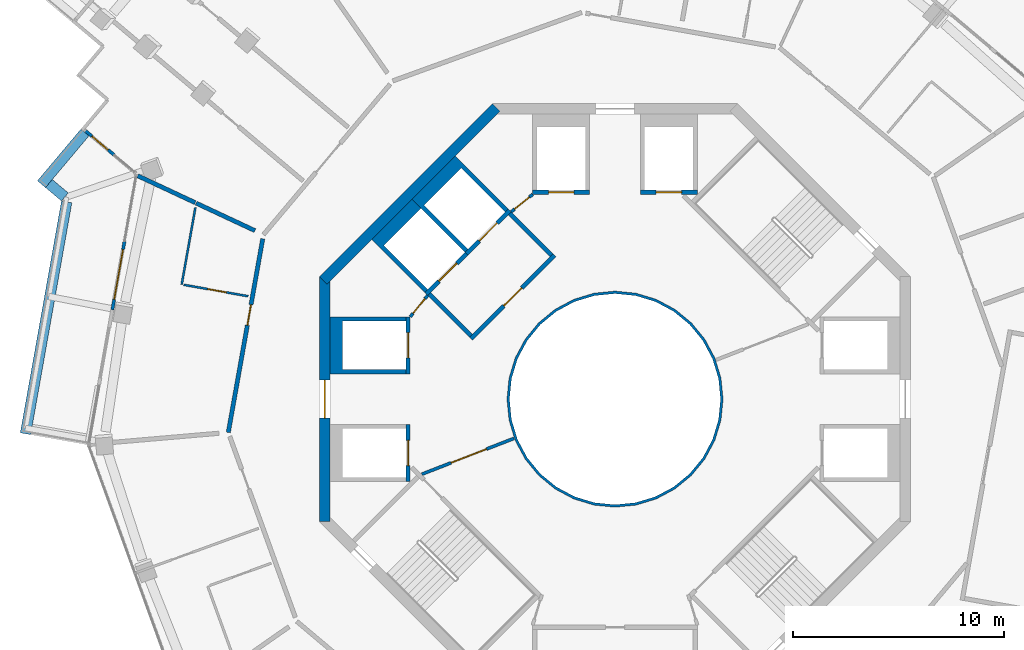
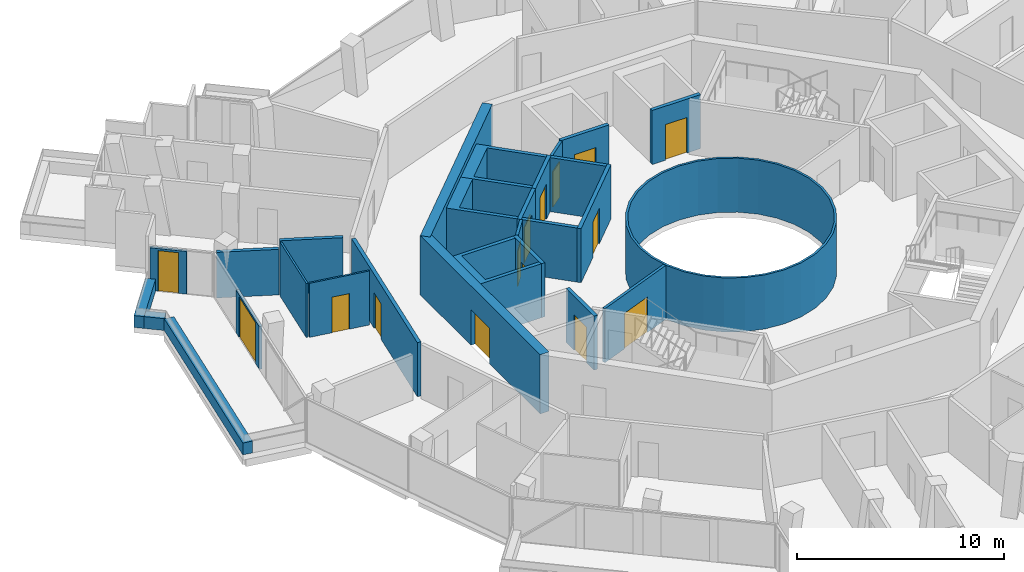
# One storey, part 16 of 22: 28 walls, 15 doors, 15 openings.
"""IFC4 building model written with IfcOpenShell, lengths in metres."""

from ifc_helpers import new_model, si_unit, direction, frame, frame_2d, origin, place, context, subcontext, project, spatial, polyline, rectangle, outline, extrude, material, layer, layer_set, type_object, element, fill, save


model = new_model("IFC4")

# Units and contexts
model_context = context("Model", 3, precision=1e-05, world=origin(), true_north=direction((0.0, 1.0)))
body_context = subcontext(model_context, "Body", "Model", "MODEL_VIEW")
ifc_project = project(units=[si_unit("LENGTHUNIT", "METRE"), si_unit("AREAUNIT", "SQUARE_METRE"), si_unit("VOLUMEUNIT", "CUBIC_METRE"), si_unit("PLANEANGLEUNIT", "RADIAN"), si_unit("MASSUNIT", "GRAM", prefix="KILO")], contexts=[model_context])

# Site, building, storey
site_placement = place(None, origin())
site = spatial("IfcSite", under=ifc_project, at=site_placement, CompositionType="ELEMENT")
building_placement = place(site_placement, origin())
building = spatial("IfcBuilding", under=site, at=building_placement, Name="Verdalira Terraces Hotel", CompositionType="ELEMENT")
storey_placement = place(building_placement, frame((0.0, 0.0, 237.5)))
storey = spatial("IfcBuildingStorey", under=building, at=storey_placement, Name="L58", CompositionType="ELEMENT", Elevation=237.5)

# Walls
ifc_material_1 = material(Name="Fire-resisting glass EI 180", Category="glass")
ifc_layer_1 = layer(ifc_material_1, 0.1201171875)
ifc_layer_set_1 = layer_set([ifc_layer_1], Name="Atrium fire screen 120 mm")
wall_type_1 = type_object("IfcWallType", Name="Atrium fire screen 120 mm", PredefinedType="SOLIDWALL", material=ifc_layer_set_1)
wall_1_placement = place(storey_placement, origin())
element("IfcWall", 1, at=wall_1_placement, inside=storey, type_object=wall_type_1, Name="Atrium fire screen", PredefinedType="SOLIDWALL", context=body_context, shape_type="SweptSolid", body=[
    extrude(outline(polyline([(5.021484, -0.998779), (4.730225, -1.959229), (4.25708, -2.844482), (3.620361, -3.620361), (2.844482, -4.25708), (1.959229, -4.730225), (0.998779, -5.021484), (0.0, -5.120117), (-0.998779, -5.021484), (-1.959229, -4.730225), (-2.844482, -4.25708), (-3.620361, -3.620361), (-4.25708, -2.844482), (-4.730225, -1.959229), (-5.021484, -0.998779), (-5.120117, 0.0), (-5.021484, 0.998779), (-4.730225, 1.959229), (-4.25708, 2.844482), (-3.620361, 3.620361), (-2.844482, 4.25708), (-1.959229, 4.730225), (-0.998779, 5.021484), (0.0, 5.120117), (0.998779, 5.021484), (1.959229, 4.730225), (2.844482, 4.25708), (3.620361, 3.620361), (4.25708, 2.844482), (4.730225, 1.959229), (5.021484, 0.998779), (5.120117, 0.0), (5.021484, -0.998779)]), holes=[polyline([(4.903809, 0.975586), (4.619385, 1.91333), (4.157227, 2.777832), (3.5354, 3.5354), (2.777832, 4.157227), (1.91333, 4.619385), (0.975586, 4.903809), (0.0, 5.0), (-0.975586, 4.903809), (-1.91333, 4.619385), (-2.777832, 4.157227), (-3.5354, 3.5354), (-4.157227, 2.777832), (-4.619385, 1.91333), (-4.903809, 0.975586), (-5.0, 0.0), (-4.903809, -0.975586), (-4.619385, -1.91333), (-4.157227, -2.777832), (-3.5354, -3.5354), (-2.777832, -4.157227), (-1.91333, -4.619385), (-0.975586, -4.903809), (0.0, -5.0), (0.975586, -4.903809), (1.91333, -4.619385), (2.777832, -4.157227), (3.5354, -3.5354), (4.157227, -2.777832), (4.619385, -1.91333), (4.903809, -0.975586), (5.0, 0.0), (4.903809, 0.975586)])]), origin(), (0.0, 0.0, 1.0), 3.189941),
])
ifc_material_2 = material(Name="Concrete C40", Category="concrete")
ifc_layer_2 = layer(ifc_material_2, 0.5)
ifc_layer_set_2 = layer_set([ifc_layer_2], Name="Balcony planter trough with tree")
wall_type_2 = type_object("IfcWallType", Name="Balcony planter trough with tree", PredefinedType="SOLIDWALL", material=ifc_layer_set_2)
wall_2_placement = place(storey_placement, frame((-25.108398, 12.631836, 0.0), z_axis=(0.0, 0.0, 1.0), x_axis=(-0.64382547, -0.765172376, 0.0)))
element("IfcWall", 2, at=wall_2_placement, inside=storey, type_object=wall_type_2, Name="Balcony planter", PredefinedType="SOLIDWALL", context=body_context, shape_type="SweptSolid", body=[
    extrude(rectangle(XDim=3.198975, YDim=0.5, at=frame_2d((1.599609, 0.0))), origin(), (0.0, 0.0, 1.0), 0.699951),
])
wall_3_placement = place(storey_placement, frame((-26.815674, 10.214355, 0.0), z_axis=(0.0, 0.0, 1.0), x_axis=(0.765135313, -0.643869516, 0.0)))
element("IfcWall", 3, at=wall_3_placement, inside=storey, type_object=wall_type_2, Name="Balcony planter", PredefinedType="SOLIDWALL", context=body_context, shape_type="SweptSolid", body=[
    extrude(rectangle(XDim=0.988525, YDim=0.5, at=frame_2d((0.494141, 0.0))), origin(), (0.0, 0.0, 1.0), 0.699951),
])
wall_4_placement = place(storey_placement, frame((-25.974121, 9.342773, 0.0), z_axis=(0.0, 0.0, 1.0), x_axis=(-0.175017773, -0.984565274, 0.0)))
element("IfcWall", 4, at=wall_4_placement, inside=storey, type_object=wall_type_2, Name="Balcony planter", PredefinedType="SOLIDWALL", context=body_context, shape_type="SweptSolid", body=[
    extrude(rectangle(XDim=11.152588, YDim=0.5, at=frame_2d((5.576172, 0.0))), origin(), (0.0, 0.0, 1.0), 0.699951),
])
ifc_material_3 = material(Name="Moisture-resistant gypsum board partition")
ifc_layer_3 = layer(ifc_material_3, 0.10009765625)
ifc_layer_set_3 = layer_set([ifc_layer_3], Name="Bathroom partition 100 mm")
wall_type_3 = type_object("IfcWallType", Name="Bathroom partition 100 mm", PredefinedType="PARTITIONING", material=ifc_layer_set_3)
wall_5_placement = place(storey_placement, frame((-20.523926, 5.434326, 0.0), z_axis=(0.0, 0.0, 1.0), x_axis=(0.17499216, 0.984569827, 0.0)))
element("IfcWall", 5, at=wall_5_placement, inside=storey, type_object=wall_type_3, Name="Bathroom partition", PredefinedType="PARTITIONING", context=body_context, shape_type="SweptSolid", body=[
    extrude(rectangle(XDim=3.704102, YDim=0.100098, at=frame_2d((1.852051, 0.0))), origin(), (0.0, 0.0, 1.0), 3.189941),
])

# Wall, opening, door
wall_6_placement = place(storey_placement, frame((-20.425537, 5.416992, 0.0), z_axis=(0.0, 0.0, 1.0), x_axis=(0.984556777, -0.175065567, 0.0)))
wall_6 = element("IfcWall", 6, at=wall_6_placement, inside=storey, type_object=wall_type_3, Name="Bathroom partition", PredefinedType="PARTITIONING", context=body_context, shape_type="SweptSolid", body=[
    extrude(rectangle(XDim=3.100098, YDim=0.100098, at=frame_2d((1.550049, 0.0))), origin(), (0.0, 0.0, 1.0), 3.189941),
])
opening_1_placement = place(wall_6_placement, frame((1.149902, 0.0, 0.0)))
opening_1 = element("IfcOpeningElement", 7, at=opening_1_placement, cuts=wall_6, Name="Opening L58-105", PredefinedType="OPENING", context=body_context, shape_type="SweptSolid", body=[
    extrude(rectangle(XDim=0.899902, YDim=2.100098, at=frame_2d((0.449951, 1.050049))), frame((0.0, 0.060059, 0.0), z_axis=(0.0, -1.0, 0.0), x_axis=(1.0, 0.0, 0.0)), (0.0, 0.0, 1.0), 0.120117),
])
ifc_material_4 = material(Name="Timber door", Category="wood")
door_type_1 = type_object("IfcDoorType", Name="Bathroom door 900 x 2100", OperationType="NOTDEFINED", PredefinedType="DOOR", material=ifc_material_4)
door_1_placement = place(opening_1_placement, origin())
door_1 = element("IfcDoor", 8, at=door_1_placement, inside=storey, type_object=door_type_1, Name="Bathroom door 5802", OperationType="SINGLE_SWING_LEFT", OverallHeight=2.10009765625, OverallWidth=0.89990234375, PredefinedType="DOOR", context=body_context, shape_type="SweptSolid", body=[
    extrude(rectangle(XDim=0.899902, YDim=2.100098, at=frame_2d((0.449951, 1.050049))), frame((0.0, 0.024902, 0.0), z_axis=(0.0, -1.0, 0.0), x_axis=(1.0, 0.0, 0.0)), (0.0, 0.0, 1.0), 0.050049),
])
fill(opening_1, door_1)

ifc_material_5 = material(Name="Concrete C50", Category="concrete")
ifc_layer_4 = layer(ifc_material_5, 0.199951171875)
ifc_layer_set_4 = layer_set([ifc_layer_4], Name="Core RC wall 200 C50")
wall_type_4 = type_object("IfcWallType", Name="Core RC wall 200 C50", PredefinedType="SOLIDWALL", material=ifc_layer_set_4)
wall_7_placement = place(storey_placement, frame((1.199951, 9.800049, 0.0), z_axis=(0.0, 0.0, 1.0), x_axis=(1.0, 0.0, 0.0)))
wall_7 = element("IfcWall", 9, at=wall_7_placement, inside=storey, type_object=wall_type_4, Name="L58 shaft front wall N1", PredefinedType="SOLIDWALL", context=body_context, shape_type="SweptSolid", body=[
    extrude(rectangle(XDim=2.699951, YDim=0.199951, at=frame_2d((1.350098, 0.0))), origin(), (0.0, 0.0, 1.0), 3.189941),
])
opening_2_placement = place(wall_7_placement, frame((0.75, 0.0, 0.0)))
opening_2 = element("IfcOpeningElement", 10, at=opening_2_placement, cuts=wall_7, Name="Opening LD-L58-804", PredefinedType="OPENING", context=body_context, shape_type="SweptSolid", body=[
    extrude(rectangle(XDim=1.199951, YDim=2.100098, at=frame_2d((0.600098, 1.050049))), frame((0.0, 0.109863, 0.0), z_axis=(0.0, -1.0, 0.0), x_axis=(1.0, 0.0, 0.0)), (0.0, 0.0, 1.0), 0.219971),
])
ifc_material_6 = material(Name="Stainless steel", Category="steel")
door_type_2 = type_object("IfcDoorType", Name="Landing door 1200 x 2100", OperationType="NOTDEFINED", PredefinedType="DOOR", material=ifc_material_6)
door_2_placement = place(opening_2_placement, origin())
door_2 = element("IfcDoor", 11, at=door_2_placement, inside=storey, type_object=door_type_2, Name="Lift landing door HR3 L58", OperationType="DOUBLE_DOOR_SLIDING", OverallHeight=2.10009765625, OverallWidth=1.199951171875, PredefinedType="DOOR", context=body_context, shape_type="SweptSolid", body=[
    extrude(rectangle(XDim=1.199951, YDim=2.100098, at=frame_2d((0.600098, 1.050049))), frame((0.0, 0.024902, 0.0), z_axis=(0.0, -1.0, 0.0), x_axis=(1.0, 0.0, 0.0)), (0.0, 0.0, 1.0), 0.050049),
])
fill(opening_2, door_2)

wall_8_placement = place(storey_placement, frame((-1.199951, 9.800049, 0.0), z_axis=(0.0, 0.0, 1.0), x_axis=(-1.0, 0.0, 0.0)))
wall_8 = element("IfcWall", 12, at=wall_8_placement, inside=storey, type_object=wall_type_4, Name="L58 shaft front wall N2", PredefinedType="SOLIDWALL", context=body_context, shape_type="SweptSolid", body=[
    extrude(rectangle(XDim=2.699951, YDim=0.199951, at=frame_2d((1.350098, 0.0))), origin(), (0.0, 0.0, 1.0), 3.189941),
])
opening_3_placement = place(wall_8_placement, frame((0.75, 0.0, 0.0)))
opening_3 = element("IfcOpeningElement", 13, at=opening_3_placement, cuts=wall_8, Name="Opening LD-L58-805", PredefinedType="OPENING", context=body_context, shape_type="SweptSolid", body=[
    extrude(rectangle(XDim=1.199951, YDim=2.100098, at=frame_2d((0.600098, 1.050049))), frame((0.0, 0.109863, 0.0), z_axis=(0.0, -1.0, 0.0), x_axis=(1.0, 0.0, 0.0)), (0.0, 0.0, 1.0), 0.219971),
])
door_3_placement = place(opening_3_placement, origin())
door_3 = element("IfcDoor", 14, at=door_3_placement, inside=storey, type_object=door_type_2, Name="Lift landing door HR4 L58", OperationType="DOUBLE_DOOR_SLIDING", OverallHeight=2.10009765625, OverallWidth=1.199951171875, PredefinedType="DOOR", context=body_context, shape_type="SweptSolid", body=[
    extrude(rectangle(XDim=1.199951, YDim=2.100098, at=frame_2d((0.600098, 1.050049))), frame((0.0, 0.024902, 0.0), z_axis=(0.0, -1.0, 0.0), x_axis=(1.0, 0.0, 0.0)), (0.0, 0.0, 1.0), 0.050049),
])
fill(opening_3, door_3)

# Wall
wall_9_placement = place(storey_placement, origin())
element("IfcWall", 15, at=wall_9_placement, inside=storey, type_object=wall_type_4, Name="L58 shaft wall W1", PredefinedType="SOLIDWALL", context=body_context, shape_type="SweptSolid", body=[
    extrude(outline(polyline([(-13.5, 3.899902), (-9.899902, 3.899902), (-9.899902, 3.699951), (-12.899902, 3.699951), (-12.899902, 1.399902), (-9.899902, 1.399902), (-9.899902, 1.199951), (-13.5, 1.199951), (-13.5, 3.899902)])), origin(), (0.0, 0.0, 1.0), 3.189941),
])

# Wall, opening, door
wall_10_placement = place(storey_placement, frame((-9.800049, 1.199951, 0.0), z_axis=(0.0, 0.0, 1.0), x_axis=(0.0, 1.0, 0.0)))
wall_10 = element("IfcWall", 16, at=wall_10_placement, inside=storey, type_object=wall_type_4, Name="L58 shaft front wall W1", PredefinedType="SOLIDWALL", context=body_context, shape_type="SweptSolid", body=[
    extrude(rectangle(XDim=2.699951, YDim=0.199951, at=frame_2d((1.350098, 0.0))), origin(), (0.0, 0.0, 1.0), 3.189941),
])
opening_4_placement = place(wall_10_placement, frame((0.75, 0.0, 0.0)))
opening_4 = element("IfcOpeningElement", 17, at=opening_4_placement, cuts=wall_10, Name="Opening LD-L58-806", PredefinedType="OPENING", context=body_context, shape_type="SweptSolid", body=[
    extrude(rectangle(XDim=1.199951, YDim=2.100098, at=frame_2d((0.600098, 1.050049))), frame((0.0, 0.109863, 0.0), z_axis=(0.0, -1.0, 0.0), x_axis=(1.0, 0.0, 0.0)), (0.0, 0.0, 1.0), 0.219971),
])
door_4_placement = place(opening_4_placement, origin())
door_4 = element("IfcDoor", 18, at=door_4_placement, inside=storey, type_object=door_type_2, Name="Lift landing door HR5 L58", OperationType="DOUBLE_DOOR_SLIDING", OverallHeight=2.10009765625, OverallWidth=1.199951171875, PredefinedType="DOOR", context=body_context, shape_type="SweptSolid", body=[
    extrude(rectangle(XDim=1.199951, YDim=2.100098, at=frame_2d((0.600098, 1.050049))), frame((0.0, 0.024902, 0.0), z_axis=(0.0, -1.0, 0.0), x_axis=(1.0, 0.0, 0.0)), (0.0, 0.0, 1.0), 0.050049),
])
fill(opening_4, door_4)

wall_11_placement = place(storey_placement, frame((-9.800049, -1.199951, 0.0), z_axis=(0.0, 0.0, 1.0), x_axis=(0.0, -1.0, 0.0)))
wall_11 = element("IfcWall", 19, at=wall_11_placement, inside=storey, type_object=wall_type_4, Name="L58 shaft front wall W2", PredefinedType="SOLIDWALL", context=body_context, shape_type="SweptSolid", body=[
    extrude(rectangle(XDim=2.699951, YDim=0.199951, at=frame_2d((1.350098, 0.0))), origin(), (0.0, 0.0, 1.0), 3.189941),
])
opening_5_placement = place(wall_11_placement, frame((0.75, 0.0, 0.0)))
opening_5 = element("IfcOpeningElement", 20, at=opening_5_placement, cuts=wall_11, Name="Opening LD-L58-807", PredefinedType="OPENING", context=body_context, shape_type="SweptSolid", body=[
    extrude(rectangle(XDim=1.199951, YDim=2.100098, at=frame_2d((0.600098, 1.050049))), frame((0.0, 0.109863, 0.0), z_axis=(0.0, -1.0, 0.0), x_axis=(1.0, 0.0, 0.0)), (0.0, 0.0, 1.0), 0.219971),
])
door_5_placement = place(opening_5_placement, origin())
door_5 = element("IfcDoor", 21, at=door_5_placement, inside=storey, type_object=door_type_2, Name="Lift landing door HR6 L58", OperationType="DOUBLE_DOOR_SLIDING", OverallHeight=2.10009765625, OverallWidth=1.199951171875, PredefinedType="DOOR", context=body_context, shape_type="SweptSolid", body=[
    extrude(rectangle(XDim=1.199951, YDim=2.100098, at=frame_2d((0.600098, 1.050049))), frame((0.0, 0.024902, 0.0), z_axis=(0.0, -1.0, 0.0), x_axis=(1.0, 0.0, 0.0)), (0.0, 0.0, 1.0), 0.050049),
])
fill(opening_5, door_5)

# Wall
wall_12_placement = place(storey_placement, origin())
element("IfcWall", 22, at=wall_12_placement, inside=storey, type_object=wall_type_4, Name="L58 shaft wall F1", PredefinedType="SOLIDWALL", context=body_context, shape_type="SweptSolid", body=[
    extrude(outline(polyline([(-9.616699, 9.475098), (-7.565918, 11.525879), (-5.055908, 9.015625), (-5.197266, 8.874268), (-7.283203, 10.960205), (-9.051025, 9.192383), (-6.965088, 7.106445), (-7.106445, 6.965088), (-9.616699, 9.475098)])), origin(), (0.0, 0.0, 1.0), 3.189941),
])

# Wall, opening, door
wall_13_placement = place(storey_placement, frame((-4.985107, 8.944824, 0.0), z_axis=(0.0, 0.0, 1.0), x_axis=(-0.707106781, -0.707106781, 0.0)))
wall_13 = element("IfcWall", 23, at=wall_13_placement, inside=storey, type_object=wall_type_4, Name="L58 shaft front wall F1", PredefinedType="SOLIDWALL", context=body_context, shape_type="SweptSolid", body=[
    extrude(rectangle(XDim=2.899902, YDim=0.199951, at=frame_2d((1.449951, 0.0))), origin(), (0.0, 0.0, 1.0), 3.189941),
])
opening_6_placement = place(wall_13_placement, frame((0.850098, 0.0, 0.0)))
opening_6 = element("IfcOpeningElement", 24, at=opening_6_placement, cuts=wall_13, Name="Opening LD-L58-808", PredefinedType="OPENING", context=body_context, shape_type="SweptSolid", body=[
    extrude(rectangle(XDim=1.199951, YDim=2.100098, at=frame_2d((0.600098, 1.050049))), frame((0.0, 0.109863, 0.0), z_axis=(0.0, -1.0, 0.0), x_axis=(1.0, 0.0, 0.0)), (0.0, 0.0, 1.0), 0.219971),
])
door_6_placement = place(opening_6_placement, origin())
door_6 = element("IfcDoor", 25, at=door_6_placement, inside=storey, type_object=door_type_2, Name="Lift landing door LF11 L58", OperationType="DOUBLE_DOOR_SLIDING", OverallHeight=2.10009765625, OverallWidth=1.199951171875, PredefinedType="DOOR", context=body_context, shape_type="SweptSolid", body=[
    extrude(rectangle(XDim=1.199951, YDim=2.100098, at=frame_2d((0.600098, 1.050049))), frame((0.0, 0.024902, 0.0), z_axis=(0.0, -1.0, 0.0), x_axis=(1.0, 0.0, 0.0)), (0.0, 0.0, 1.0), 0.050049),
])
fill(opening_6, door_6)

# Wall
wall_14_placement = place(storey_placement, origin())
element("IfcWall", 26, at=wall_14_placement, inside=storey, type_object=wall_type_4, Name="L58 shaft wall F2", PredefinedType="SOLIDWALL", context=body_context, shape_type="SweptSolid", body=[
    extrude(outline(polyline([(-11.525879, 7.565918), (-9.616699, 9.475098), (-9.192383, 9.051025), (-10.960205, 7.283203), (-8.874268, 5.197266), (-9.015625, 5.055908), (-11.525879, 7.565918)])), origin(), (0.0, 0.0, 1.0), 3.189941),
])

# Wall, opening, door
wall_15_placement = place(storey_placement, frame((-7.035645, 6.894287, 0.0), z_axis=(0.0, 0.0, 1.0), x_axis=(-0.707106781, -0.707106781, 0.0)))
wall_15 = element("IfcWall", 27, at=wall_15_placement, inside=storey, type_object=wall_type_4, Name="L58 shaft front wall F2", PredefinedType="SOLIDWALL", context=body_context, shape_type="SweptSolid", body=[
    extrude(rectangle(XDim=2.699951, YDim=0.199951, at=frame_2d((1.350098, 0.0))), origin(), (0.0, 0.0, 1.0), 3.189941),
])
opening_7_placement = place(wall_15_placement, frame((0.649902, 0.0, 0.0)))
opening_7 = element("IfcOpeningElement", 28, at=opening_7_placement, cuts=wall_15, Name="Opening LD-L58-809", PredefinedType="OPENING", context=body_context, shape_type="SweptSolid", body=[
    extrude(rectangle(XDim=1.199951, YDim=2.100098, at=frame_2d((0.600098, 1.050049))), frame((0.0, 0.109863, 0.0), z_axis=(0.0, -1.0, 0.0), x_axis=(1.0, 0.0, 0.0)), (0.0, 0.0, 1.0), 0.219971),
])
door_7_placement = place(opening_7_placement, origin())
door_7 = element("IfcDoor", 29, at=door_7_placement, inside=storey, type_object=door_type_2, Name="Lift landing door LF12 L58", OperationType="DOUBLE_DOOR_SLIDING", OverallHeight=2.10009765625, OverallWidth=1.199951171875, PredefinedType="DOOR", context=body_context, shape_type="SweptSolid", body=[
    extrude(rectangle(XDim=1.199951, YDim=2.100098, at=frame_2d((0.600098, 1.050049))), frame((0.0, 0.024902, 0.0), z_axis=(0.0, -1.0, 0.0), x_axis=(1.0, 0.0, 0.0)), (0.0, 0.0, 1.0), 0.050049),
])
fill(opening_7, door_7)

wall_16_placement = place(storey_placement, frame((-2.86377, 6.823486, 0.0), z_axis=(0.0, 0.0, 1.0), x_axis=(-0.707106781, -0.707106781, 0.0)))
wall_16 = element("IfcWall", 30, at=wall_16_placement, inside=storey, type_object=wall_type_4, Name="L58 fire lobby wall", PredefinedType="SOLIDWALL", context=body_context, shape_type="SweptSolid", body=[
    extrude(rectangle(XDim=5.599854, YDim=0.199951, at=frame_2d((2.799805, 0.0))), origin(), (0.0, 0.0, 1.0), 3.189941),
])
opening_8_placement = place(wall_16_placement, frame((2.199951, 0.0, 0.0)))
opening_8 = element("IfcOpeningElement", 31, at=opening_8_placement, cuts=wall_16, Name="Opening L58-819", PredefinedType="OPENING", context=body_context, shape_type="SweptSolid", body=[
    extrude(rectangle(XDim=1.199951, YDim=2.100098, at=frame_2d((0.600098, 1.050049))), frame((0.0, 0.109863, 0.0), z_axis=(0.0, -1.0, 0.0), x_axis=(1.0, 0.0, 0.0)), (0.0, 0.0, 1.0), 0.219971),
])
ifc_material_7 = material(Name="Steel fire door", Category="steel")
door_type_3 = type_object("IfcDoorType", Name="Lobby door 1200 x 2100", OperationType="NOTDEFINED", PredefinedType="DOOR", material=ifc_material_7)
door_8_placement = place(opening_8_placement, origin())
door_8 = element("IfcDoor", 32, at=door_8_placement, inside=storey, type_object=door_type_3, Name="Fire lobby door L58", OperationType="SINGLE_SWING_LEFT", OverallHeight=2.10009765625, OverallWidth=1.199951171875, PredefinedType="DOOR", context=body_context, shape_type="SweptSolid", body=[
    extrude(rectangle(XDim=1.199951, YDim=2.100098, at=frame_2d((0.600098, 1.050049))), frame((0.0, 0.024902, 0.0), z_axis=(0.0, -1.0, 0.0), x_axis=(1.0, 0.0, 0.0)), (0.0, 0.0, 1.0), 0.050049),
])
fill(opening_8, door_8)

# Walls
for number, where, z_axis, x_axis, name in (
    (33, (-3.005127, 6.823486, 0.0), (0.0, 0.0, 1.0), (-0.707106781, 0.707106781, 0.0), "L58 fire lobby wall"),
    (34, (-6.823486, 3.005127, 0.0), (0.0, 0.0, 1.0), (-0.707106781, 0.707106781, 0.0), "L58 fire lobby wall"),
):
    element("IfcWall", number, at=place(storey_placement, frame(where, z_axis=z_axis, x_axis=x_axis)), inside=storey, type_object=wall_type_4, Name=name, PredefinedType="SOLIDWALL", context=body_context, shape_type="SweptSolid", body=[
        extrude(rectangle(XDim=2.800049, YDim=0.199951, at=frame_2d((1.399902, 0.0))), origin(), (0.0, 0.0, 1.0), 3.189941),
    ])

# Wall, opening, door
ifc_material_8 = material(Name="Gypsum board partition")
ifc_layer_5 = layer(ifc_material_8, 0.14990234375)
ifc_layer_set_5 = layer_set([ifc_layer_5], Name="Core partition 150 mm")
wall_type_5 = type_object("IfcWallType", Name="Core partition 150 mm", PredefinedType="PARTITIONING", material=ifc_layer_set_5)
wall_17_placement = place(storey_placement, frame((-3.899902, 9.699951, 0.0), z_axis=(0.0, 0.0, 1.0), x_axis=(-0.775559878, -0.631274009, 0.0)))
wall_17 = element("IfcWall", 35, at=wall_17_placement, inside=storey, type_object=wall_type_5, Name="Room partition L58", PredefinedType="PARTITIONING", context=body_context, shape_type="SweptSolid", body=[
    extrude(rectangle(XDim=1.307861, YDim=0.149902, at=frame_2d((0.653809, 0.0))), origin(), (0.0, 0.0, 1.0), 3.189941),
])
opening_9_placement = place(wall_17_placement, frame((0.204102, 0.0, 0.0)))
opening_9 = element("IfcOpeningElement", 36, at=opening_9_placement, cuts=wall_17, Name="Opening L58-820", PredefinedType="OPENING", context=body_context, shape_type="SweptSolid", body=[
    extrude(rectangle(XDim=0.899902, YDim=2.100098, at=frame_2d((0.449951, 1.050049))), frame((0.0, 0.084961, 0.0), z_axis=(0.0, -1.0, 0.0), x_axis=(1.0, 0.0, 0.0)), (0.0, 0.0, 1.0), 0.169922),
])
ifc_material_9 = material(Name="Steel fire door", Category="steel")
door_type_4 = type_object("IfcDoorType", Name="Core room door 900 x 2100", OperationType="NOTDEFINED", PredefinedType="DOOR", material=ifc_material_9)
door_9_placement = place(opening_9_placement, origin())
door_9 = element("IfcDoor", 37, at=door_9_placement, inside=storey, type_object=door_type_4, Name="Door L58 room2", OperationType="SINGLE_SWING_LEFT", OverallHeight=2.10009765625, OverallWidth=0.89990234375, PredefinedType="DOOR", context=body_context, shape_type="SweptSolid", body=[
    extrude(rectangle(XDim=0.899902, YDim=2.100098, at=frame_2d((0.449951, 1.050049))), frame((0.0, 0.024902, 0.0), z_axis=(0.0, -1.0, 0.0), x_axis=(1.0, 0.0, 0.0)), (0.0, 0.0, 1.0), 0.050049),
])
fill(opening_9, door_9)

wall_18_placement = place(storey_placement, frame((-8.874268, 4.914307, 0.0), z_axis=(0.0, 0.0, 1.0), x_axis=(-0.631274009, -0.775559878, 0.0)))
wall_18 = element("IfcWall", 38, at=wall_18_placement, inside=storey, type_object=wall_type_5, Name="Room partition L58", PredefinedType="PARTITIONING", context=body_context, shape_type="SweptSolid", body=[
    extrude(rectangle(XDim=1.307861, YDim=0.149902, at=frame_2d((0.653809, 0.0))), origin(), (0.0, 0.0, 1.0), 3.189941),
])
opening_10_placement = place(wall_18_placement, frame((0.204102, 0.0, 0.0)))
opening_10 = element("IfcOpeningElement", 39, at=opening_10_placement, cuts=wall_18, Name="Opening L58-821", PredefinedType="OPENING", context=body_context, shape_type="SweptSolid", body=[
    extrude(rectangle(XDim=0.899902, YDim=2.100098, at=frame_2d((0.449951, 1.050049))), frame((0.0, 0.084961, 0.0), z_axis=(0.0, -1.0, 0.0), x_axis=(1.0, 0.0, 0.0)), (0.0, 0.0, 1.0), 0.169922),
])
door_10_placement = place(opening_10_placement, origin())
door_10 = element("IfcDoor", 40, at=door_10_placement, inside=storey, type_object=door_type_4, Name="Door L58 room3", OperationType="SINGLE_SWING_LEFT", OverallHeight=2.10009765625, OverallWidth=0.89990234375, PredefinedType="DOOR", context=body_context, shape_type="SweptSolid", body=[
    extrude(rectangle(XDim=0.899902, YDim=2.100098, at=frame_2d((0.449951, 1.050049))), frame((0.0, 0.024902, 0.0), z_axis=(0.0, -1.0, 0.0), x_axis=(1.0, 0.0, 0.0)), (0.0, 0.0, 1.0), 0.050049),
])
fill(opening_10, door_10)

wall_19_placement = place(storey_placement, frame((-4.781982, -1.857178, 0.0), z_axis=(0.0, 0.0, 1.0), x_axis=(-0.932155279, -0.362058746, 0.0)))
wall_19 = element("IfcWall", 41, at=wall_19_placement, inside=storey, type_object=wall_type_5, Name="Gallery fire partition L58", PredefinedType="PARTITIONING", context=body_context, shape_type="SweptSolid", body=[
    extrude(rectangle(XDim=4.682373, YDim=0.149902, at=frame_2d((2.341309, 0.0))), origin(), (0.0, 0.0, 1.0), 3.189941),
])
opening_11_placement = place(wall_19_placement, frame((1.399902, 0.0, 0.0)))
opening_11 = element("IfcOpeningElement", 42, at=opening_11_placement, cuts=wall_19, Name="Opening L58-825", PredefinedType="OPENING", context=body_context, shape_type="SweptSolid", body=[
    extrude(rectangle(XDim=1.800049, YDim=2.100098, at=frame_2d((0.899902, 1.050049))), frame((0.0, 0.084961, 0.0), z_axis=(0.0, -1.0, 0.0), x_axis=(1.0, 0.0, 0.0)), (0.0, 0.0, 1.0), 0.169922),
])
ifc_material_10 = material(Name="Steel fire door", Category="steel")
door_type_5 = type_object("IfcDoorType", Name="Gallery fire door pair 1800 x 2100", OperationType="NOTDEFINED", PredefinedType="DOOR", material=ifc_material_10)
door_11_placement = place(opening_11_placement, origin())
door_11 = element("IfcDoor", 43, at=door_11_placement, inside=storey, type_object=door_type_5, Name="Door L58 split4", OperationType="DOUBLE_DOOR_SINGLE_SWING", OverallHeight=2.10009765625, OverallWidth=1.800048828125, PredefinedType="DOOR", context=body_context, shape_type="SweptSolid", body=[
    extrude(rectangle(XDim=1.800049, YDim=2.100098, at=frame_2d((0.899902, 1.050049))), frame((0.0, 0.024902, 0.0), z_axis=(0.0, -1.0, 0.0), x_axis=(1.0, 0.0, 0.0)), (0.0, 0.0, 1.0), 0.050049),
])
fill(opening_11, door_11)

# Wall
ifc_material_11 = material(Name="Concrete C50", Category="concrete")
ifc_layer_6 = layer(ifc_material_11, 0.5)
ifc_layer_set_6 = layer_set([ifc_layer_6], Name="Core wall 500 C50")
wall_type_6 = type_object("IfcWallType", Name="Core wall 500 C50", PredefinedType="SHEAR", material=ifc_layer_set_6)
wall_20_placement = place(storey_placement, frame((-5.622314, 13.823242, 0.0), z_axis=(0.0, 0.0, 1.0), x_axis=(-0.707106781, -0.707106781, 0.0)))
element("IfcWall", 44, at=wall_20_placement, inside=storey, type_object=wall_type_6, Name="Core wall CW-L58-4", PredefinedType="SHEAR", context=body_context, shape_type="SweptSolid", body=[
    extrude(rectangle(XDim=11.5979, YDim=0.5, at=frame_2d((5.798828, 0.0))), origin(), (0.0, 0.0, 1.0), 3.5),
])

# Wall, opening, door
wall_21_placement = place(storey_placement, frame((-13.75, 5.799072, 0.0), z_axis=(0.0, 0.0, 1.0), x_axis=(0.0, -1.0, 0.0)))
wall_21 = element("IfcWall", 45, at=wall_21_placement, inside=storey, type_object=wall_type_6, Name="Core wall CW-L58-5", PredefinedType="SHEAR", context=body_context, shape_type="SweptSolid", body=[
    extrude(rectangle(XDim=11.598145, YDim=0.5, at=frame_2d((5.799072, 0.0))), origin(), (0.0, 0.0, 1.0), 3.5),
])
opening_12_placement = place(wall_21_placement, frame((4.898926, 0.0, 0.0)))
opening_12 = element("IfcOpeningElement", 46, at=opening_12_placement, cuts=wall_21, Name="Opening L58-815", PredefinedType="OPENING", context=body_context, shape_type="SweptSolid", body=[
    extrude(rectangle(XDim=1.800049, YDim=2.100098, at=frame_2d((0.899902, 1.050049))), frame((0.0, 0.26001, 0.0), z_axis=(0.0, -1.0, 0.0), x_axis=(1.0, 0.0, 0.0)), (0.0, 0.0, 1.0), 0.52002),
])
ifc_material_12 = material(Name="Steel fire door", Category="steel")
door_type_6 = type_object("IfcDoorType", Name="Core entry door pair 1800 x 2100", OperationType="NOTDEFINED", PredefinedType="DOOR", material=ifc_material_12)
door_12_placement = place(opening_12_placement, origin())
door_12 = element("IfcDoor", 47, at=door_12_placement, inside=storey, type_object=door_type_6, Name="Core entry door L58 4", OperationType="DOUBLE_DOOR_SINGLE_SWING", OverallHeight=2.10009765625, OverallWidth=1.800048828125, PredefinedType="DOOR", context=body_context, shape_type="SweptSolid", body=[
    extrude(rectangle(XDim=1.800049, YDim=2.100098, at=frame_2d((0.899902, 1.050049))), frame((0.0, 0.024902, 0.0), z_axis=(0.0, -1.0, 0.0), x_axis=(1.0, 0.0, 0.0)), (0.0, 0.0, 1.0), 0.050049),
])
fill(opening_12, door_12)

# Walls
ifc_material_13 = material(Name="Fire-rated gypsum board wall")
ifc_layer_7 = layer(ifc_material_13, 0.199951171875)
ifc_layer_set_7 = layer_set([ifc_layer_7], Name="Demising wall 200 mm")
wall_type_7 = type_object("IfcWallType", Name="Demising wall 200 mm", PredefinedType="SOLIDWALL", material=ifc_layer_set_7)
wall_22_placement = place(storey_placement, frame((-17.056396, 7.982666, 0.0), z_axis=(0.0, 0.0, 1.0), x_axis=(-0.90573433, 0.423845871, 0.0)))
element("IfcWall", 48, at=wall_22_placement, inside=storey, type_object=wall_type_7, Name="Demising wall", PredefinedType="SOLIDWALL", context=body_context, shape_type="SweptSolid", body=[
    extrude(rectangle(XDim=3.074707, YDim=0.199951, at=frame_2d((1.537354, 0.0))), origin(), (0.0, 0.0, 1.0), 3.189941),
])
ifc_material_14 = material(Name="Fire-rated gypsum board wall")
ifc_layer_8 = layer(ifc_material_14, 0.199951171875)
ifc_layer_set_8 = layer_set([ifc_layer_8], Name="Demising wall 200 mm to beam soffit")
wall_type_8 = type_object("IfcWallType", Name="Demising wall 200 mm to beam soffit", PredefinedType="SOLIDWALL", material=ifc_layer_set_8)
wall_23_placement = place(storey_placement, frame((-19.882812, 9.30542, 0.0), z_axis=(0.0, 0.0, 1.0), x_axis=(-0.905735258, 0.423843889, 0.0)))
element("IfcWall", 49, at=wall_23_placement, inside=storey, type_object=wall_type_8, Name="Demising wall", PredefinedType="SOLIDWALL", context=body_context, shape_type="SweptSolid", body=[
    extrude(rectangle(XDim=3.011475, YDim=0.199951, at=frame_2d((1.505859, 0.0))), origin(), (0.0, 0.0, 1.0), 2.689941),
])

# Wall, opening, door
ifc_material_15 = material(Name="Fire-rated gypsum board wall")
ifc_layer_9 = layer(ifc_material_15, 0.199951171875)
ifc_layer_set_9 = layer_set([ifc_layer_9], Name="Guest corridor wall 200 mm")
wall_type_9 = type_object("IfcWallType", Name="Guest corridor wall 200 mm", PredefinedType="SOLIDWALL", material=ifc_layer_set_9)
wall_24_placement = place(storey_placement, frame((-18.316895, -1.57666, 0.0), z_axis=(0.0, 0.0, 1.0), x_axis=(0.175025996, 0.984563812, 0.0)))
wall_24 = element("IfcWall", 50, at=wall_24_placement, inside=storey, type_object=wall_type_9, Name="Guest corridor wall", PredefinedType="SOLIDWALL", context=body_context, shape_type="SweptSolid", body=[
    extrude(rectangle(XDim=9.316406, YDim=0.199951, at=frame_2d((4.658203, 0.0))), origin(), (0.0, 0.0, 1.0), 3.189941),
])
opening_13_placement = place(wall_24_placement, frame((5.149902, 0.0, 0.0)))
opening_13 = element("IfcOpeningElement", 51, at=opening_13_placement, cuts=wall_24, Name="Opening L58-104", PredefinedType="OPENING", context=body_context, shape_type="SweptSolid", body=[
    extrude(rectangle(XDim=1.0, YDim=2.100098, at=frame_2d((0.5, 1.050049))), frame((0.0, 0.109863, 0.0), z_axis=(0.0, -1.0, 0.0), x_axis=(1.0, 0.0, 0.0)), (0.0, 0.0, 1.0), 0.219971),
])
ifc_material_16 = material(Name="Timber fire door", Category="wood")
door_type_7 = type_object("IfcDoorType", Name="Guest entry door 1000 x 2100", OperationType="NOTDEFINED", PredefinedType="DOOR", material=ifc_material_16)
door_13_placement = place(opening_13_placement, origin())
door_13 = element("IfcDoor", 52, at=door_13_placement, inside=storey, type_object=door_type_7, Name="Guest entry door 5802", OperationType="SINGLE_SWING_LEFT", OverallHeight=2.10009765625, OverallWidth=1.0, PredefinedType="DOOR", context=body_context, shape_type="SweptSolid", body=[
    extrude(rectangle(XDim=1.0, YDim=2.100098, at=frame_2d((0.5, 1.050049))), frame((0.0, 0.024902, 0.0), z_axis=(0.0, -1.0, 0.0), x_axis=(1.0, 0.0, 0.0)), (0.0, 0.0, 1.0), 0.050049),
])
fill(opening_13, door_13)

ifc_material_17 = material(Name="Terracotta cladding", Category="masonry")
ifc_layer_10 = layer(ifc_material_17, 0.14990234375)
ifc_layer_set_10 = layer_set([ifc_layer_10], Name="Terracotta door pier 150")
wall_type_10 = type_object("IfcWallType", Name="Terracotta door pier 150", PredefinedType="SOLIDWALL", material=ifc_layer_set_10)
wall_25_placement = place(storey_placement, frame((-25.082275, 12.709229, 0.0), z_axis=(0.0, 0.0, 1.0), x_axis=(0.765132746, -0.643872566, 0.0)))
wall_25 = element("IfcWall", 53, at=wall_25_placement, inside=storey, type_object=wall_type_10, Name="Terracotta door pier", PredefinedType="SOLIDWALL", context=body_context, shape_type="SweptSolid", body=[
    extrude(rectangle(XDim=1.800049, YDim=0.149902, at=frame_2d((0.899902, 0.0))), origin(), (0.0, 0.0, 1.0), 2.524902),
])
opening_14_placement = place(wall_25_placement, frame((0.399902, 0.0, 0.0)))
opening_14 = element("IfcOpeningElement", 54, at=opening_14_placement, cuts=wall_25, Name="Opening L58-B03", PredefinedType="OPENING", context=body_context, shape_type="SweptSolid", body=[
    extrude(rectangle(XDim=1.0, YDim=2.399902, at=frame_2d((0.5, 1.199951))), frame((0.0, 0.084961, 0.0), z_axis=(0.0, -1.0, 0.0), x_axis=(1.0, 0.0, 0.0)), (0.0, 0.0, 1.0), 0.169922),
])
ifc_material_18 = material(Name="Clear glass", Category="glass")
door_type_8 = type_object("IfcDoorType", Name="Balcony sliding door 1000x2400", OperationType="NOTDEFINED", PredefinedType="DOOR", material=ifc_material_18)
door_14_placement = place(opening_14_placement, origin())
door_14 = element("IfcDoor", 55, at=door_14_placement, inside=storey, type_object=door_type_8, Name="Balcony sliding door", OperationType="SLIDING_TO_LEFT", OverallHeight=2.39990234375, OverallWidth=1.0, PredefinedType="DOOR", context=body_context, shape_type="SweptSolid", body=[
    extrude(rectangle(XDim=1.0, YDim=2.399902, at=frame_2d((0.5, 1.199951))), frame((0.0, 0.024902, 0.0), z_axis=(0.0, -1.0, 0.0), x_axis=(1.0, 0.0, 0.0)), (0.0, 0.0, 1.0), 0.050049),
])
fill(opening_14, door_14)

wall_26_placement = place(storey_placement, frame((-23.232422, 7.481689, 0.0), z_axis=(0.0, 0.0, 1.0), x_axis=(-0.175042897, -0.984560808, 0.0)))
wall_26 = element("IfcWall", 56, at=wall_26_placement, inside=storey, type_object=wall_type_10, Name="Terracotta door pier", PredefinedType="SOLIDWALL", context=body_context, shape_type="SweptSolid", body=[
    extrude(rectangle(XDim=3.300049, YDim=0.149902, at=frame_2d((1.649902, 0.0))), origin(), (0.0, 0.0, 1.0), 2.524902),
])
opening_15_placement = place(wall_26_placement, frame((0.399902, 0.0, 0.0)))
opening_15 = element("IfcOpeningElement", 57, at=opening_15_placement, cuts=wall_26, Name="Opening L58-B04", PredefinedType="OPENING", context=body_context, shape_type="SweptSolid", body=[
    extrude(rectangle(XDim=2.399902, YDim=2.399902, at=frame_2d((1.199951, 1.199951))), frame((0.0, 0.084961, 0.0), z_axis=(0.0, -1.0, 0.0), x_axis=(1.0, 0.0, 0.0)), (0.0, 0.0, 1.0), 0.169922),
])
ifc_material_19 = material(Name="Clear glass", Category="glass")
door_type_9 = type_object("IfcDoorType", Name="Balcony sliding door 2400x2400", OperationType="NOTDEFINED", PredefinedType="DOOR", material=ifc_material_19)
door_15_placement = place(opening_15_placement, origin())
door_15 = element("IfcDoor", 58, at=door_15_placement, inside=storey, type_object=door_type_9, Name="Balcony sliding door", OperationType="SLIDING_TO_RIGHT", OverallHeight=2.39990234375, OverallWidth=2.39990234375, PredefinedType="DOOR", context=body_context, shape_type="SweptSolid", body=[
    extrude(rectangle(XDim=2.399902, YDim=2.399902, at=frame_2d((1.199951, 1.199951))), frame((0.0, 0.024902, 0.0), z_axis=(0.0, -1.0, 0.0), x_axis=(1.0, 0.0, 0.0)), (0.0, 0.0, 1.0), 0.050049),
])
fill(opening_15, door_15)

save(model, "model.ifc")
